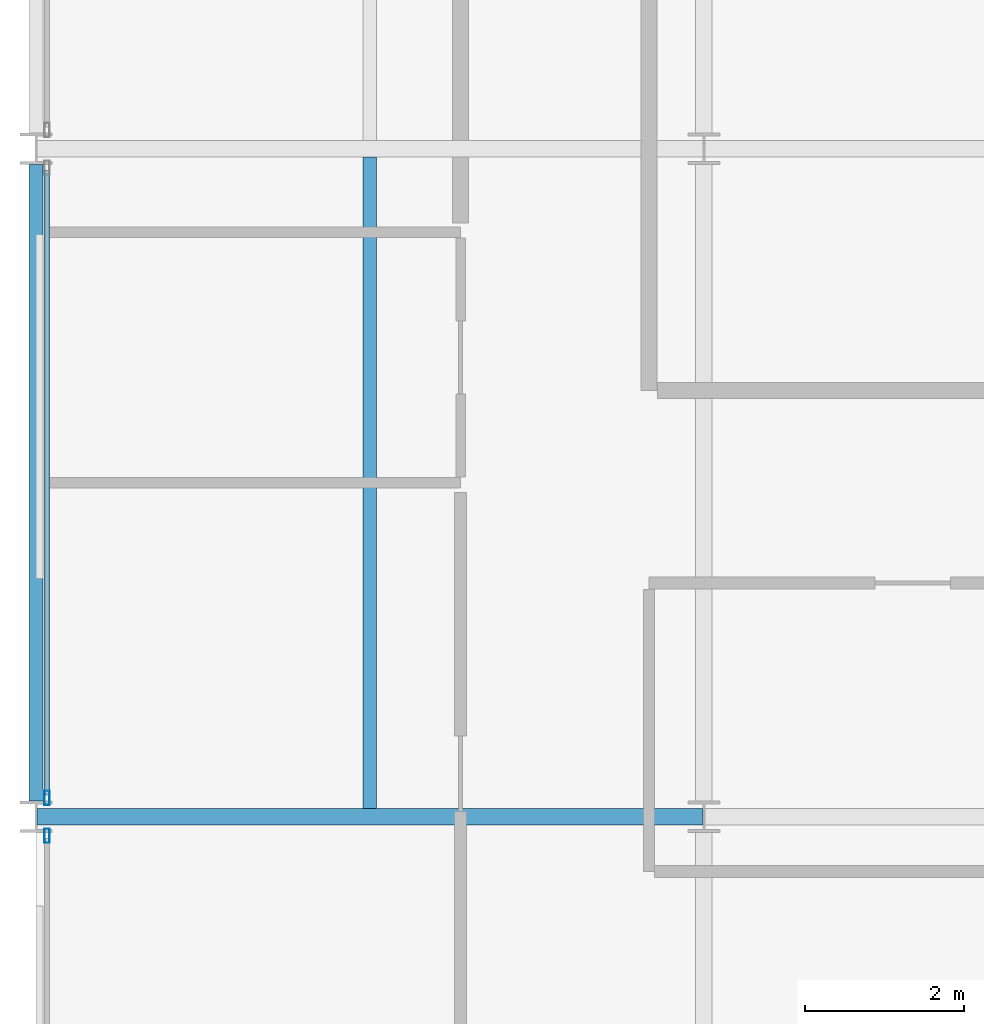
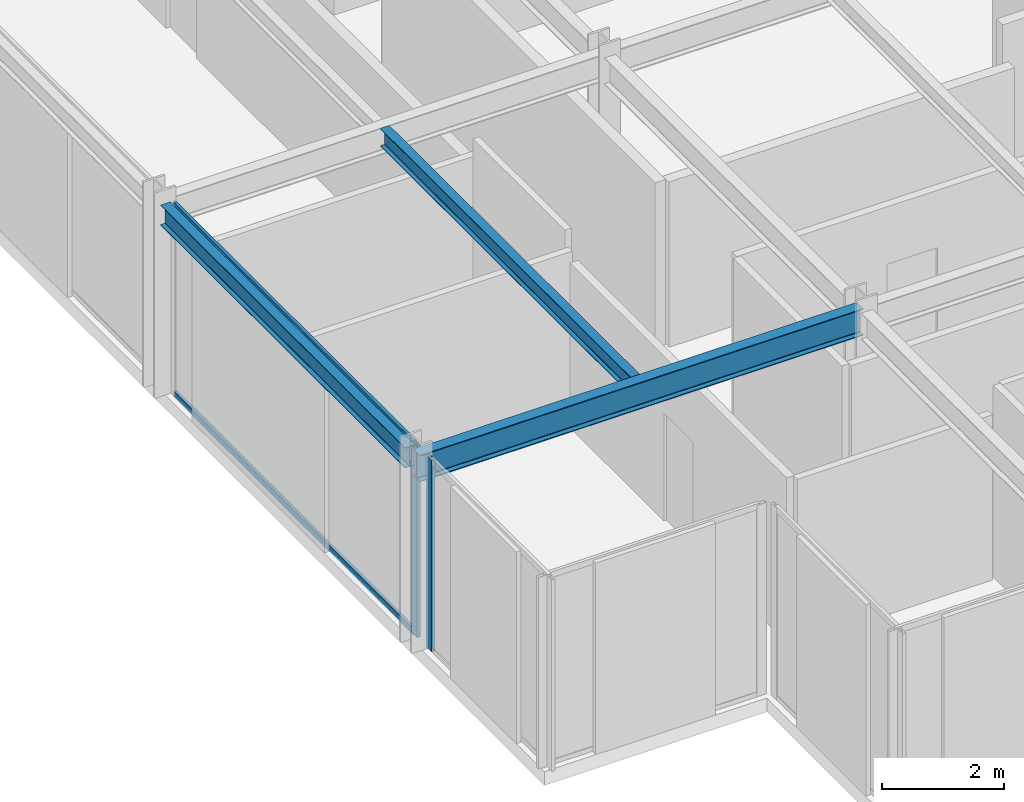
# One storey, part 6 of 38: 4 members, 3 beams, 2 elements without a shape of their own.
"""IFC4 building model written with IfcOpenShell, lengths in metres."""

import ifcopenshell
import ifcopenshell.guid

model = None  # the IFC model being written
_history = None  # IfcOwnerHistory: only IFC2X3 demands one
_inside = {}  # id of a spatial element -> (the spatial element, [elements in it])
_under = {}  # id of a project, library or spatial element -> (it, [spatial elements below it])
_declared = {}  # id of a project -> (the project, [libraries it declares])
_typed = {}  # id of a type object -> (the type object, [elements of that type])
_made_of = {}  # id of a material, layer set ... -> (it, [elements and type objects made of it])


def new_model(schema):
    """Start an empty IFC model of exactly this schema.

    Asked for "IFC4X3", IfcOpenShell would pick the latest addendum, in which some entities
    have other attributes; the version numbers below select the first issue.
    IFC2X3 requires an IfcOwnerHistory on every rooted entity: one is made here for all.
    """
    global model, _history
    if schema == "IFC4X3":
        model = ifcopenshell.file(schema_version=(4, 3, 0, 0))
    else:
        model = ifcopenshell.file(schema=schema)
    _inside.clear()
    _under.clear()
    _declared.clear()
    _typed.clear()
    _made_of.clear()
    _history = None
    if model.schema == "IFC2X3":
        org = make("IfcOrganization", Name="unknown")
        user = make(
            "IfcPersonAndOrganization",
            ThePerson=make("IfcPerson", FamilyName="unknown"),
            TheOrganization=org,
        )
        app = make(
            "IfcApplication",
            ApplicationDeveloper=org,
            Version="unknown",
            ApplicationFullName="unknown",
            ApplicationIdentifier="unknown",
        )
        _history = make(
            "IfcOwnerHistory",
            OwningUser=user,
            OwningApplication=app,
            ChangeAction="ADDED",
            CreationDate=0,
        )
    return model


def make(cls, **values):
    """One entity of the class cls with the attributes given. An attribute that is None is left unset."""
    return model.create_entity(
        cls, **{name: value for name, value in values.items() if value is not None}
    )


def rooted(cls, **values):
    """An entity with a GlobalId (a new one), such as an element, a storey or a relation."""
    return make(cls, GlobalId=ifcopenshell.guid.new(), OwnerHistory=_history, **values)


def si_unit(unit_type, name, prefix=None):
    """IfcSIUnit, for example si_unit("LENGTHUNIT", "METRE", prefix="MILLI")."""
    return make("IfcSIUnit", UnitType=unit_type, Prefix=prefix, Name=name)


def assignment(units):
    """IfcUnitAssignment: the units of a project."""
    return None if units is None else make("IfcUnitAssignment", Units=units)


def point(xyz):
    """IfcCartesianPoint."""
    return None if xyz is None else make("IfcCartesianPoint", Coordinates=xyz)


def direction(xyz):
    """IfcDirection."""
    return None if xyz is None else make("IfcDirection", DirectionRatios=xyz)


def frame(location, z_axis=None, x_axis=None):
    """IfcAxis2Placement3D, a coordinate frame: its origin and axes. An axis left out is left unset."""
    return make(
        "IfcAxis2Placement3D",
        Location=point(location),
        Axis=direction(z_axis),
        RefDirection=direction(x_axis),
    )


def frame_2d(location, x_axis=None):
    """IfcAxis2Placement2D, a coordinate frame in the plane: its origin and x axis."""
    return make(
        "IfcAxis2Placement2D", Location=point(location), RefDirection=direction(x_axis)
    )


def origin():
    """The frame at (0, 0, 0) with its axes left unset."""
    return frame((0.0, 0.0, 0.0))


def origin_2d():
    """The frame at (0, 0) in the plane with its x axis left unset."""
    return frame_2d((0.0, 0.0))


def place(relative_to, where):
    """IfcLocalPlacement: puts the frame where relative to a parent placement (None: the world)."""
    return make(
        "IfcLocalPlacement", PlacementRelTo=relative_to, RelativePlacement=where
    )


def context(
    kind, dimensions, precision=None, world=None, true_north=None, identifier=None
):
    """IfcGeometricRepresentationContext, for example the 3D "Model" context."""
    return make(
        "IfcGeometricRepresentationContext",
        ContextIdentifier=identifier,
        ContextType=kind,
        CoordinateSpaceDimension=dimensions,
        Precision=precision,
        WorldCoordinateSystem=world,
        TrueNorth=true_north,
    )


def subcontext(parent, identifier, kind, view, scale=None):
    """IfcGeometricRepresentationSubContext, for example "Body" below "Model"."""
    return make(
        "IfcGeometricRepresentationSubContext",
        ContextIdentifier=identifier,
        ContextType=kind,
        ParentContext=parent,
        TargetScale=scale,
        TargetView=view,
    )


def project(units=None, contexts=None):
    """IfcProject with its units and contexts."""
    return rooted(
        "IfcProject",
        Name="project",
        RepresentationContexts=contexts,
        UnitsInContext=assignment(units),
    )


def spatial(cls, under=None, at=None, **own):
    """A site, building, storey or space (cls), placed at a placement, below another one or the project."""
    s = rooted(cls, ObjectPlacement=at, **own)
    if under is not None:
        _under.setdefault(under.id(), (under, []))[1].append(s)
    return s


def profile(cls, at=None, kind="AREA", **sizes):
    """A parametric profile (cls). Its sizes go by their IFC names, for example OverallWidth=200.0."""
    return make(cls, ProfileType=kind, Position=at, **sizes)


def hollow_rectangle(**sizes):
    """IfcRectangleHollowProfileDef."""
    return profile("IfcRectangleHollowProfileDef", **sizes)


def i_section(**sizes):
    """IfcIShapeProfileDef."""
    return profile("IfcIShapeProfileDef", **sizes)


def extrude(swept, where, along, depth):
    """IfcExtrudedAreaSolid: the profile swept, set in the frame where, extruded along a direction by depth."""
    return make(
        "IfcExtrudedAreaSolid",
        SweptArea=swept,
        Position=where,
        ExtrudedDirection=direction(along),
        Depth=depth,
    )


def shape(context_of_items, identifier, shape_type, items):
    """IfcShapeRepresentation: the items that make up one representation, for example the "Body"."""
    return make(
        "IfcShapeRepresentation",
        ContextOfItems=context_of_items,
        RepresentationIdentifier=identifier,
        RepresentationType=shape_type,
        Items=items,
    )


def material(Name=None, Category=None):
    """IfcMaterial."""
    return make("IfcMaterial", Name=Name, Category=Category)


def layer(
    of_material, thickness, ventilated=None, Name=None, Category=None, Priority=None
):
    """IfcMaterialLayer: one layer of a wall or slab, of a material (None: an air gap)."""
    return make(
        "IfcMaterialLayer",
        Material=of_material,
        LayerThickness=thickness,
        IsVentilated=ventilated,
        Name=Name,
        Category=Category,
        Priority=Priority,
    )


def layer_set(layers, Name=None):
    """IfcMaterialLayerSet."""
    return make("IfcMaterialLayerSet", MaterialLayers=layers, LayerSetName=Name)


def material_profile(
    of_material, cross_section, Name=None, Category=None, Priority=None
):
    """IfcMaterialProfile: a cross section and its material."""
    return make(
        "IfcMaterialProfile",
        Name=Name,
        Material=of_material,
        Profile=cross_section,
        Priority=Priority,
        Category=Category,
    )


def profile_set(profiles, Name=None, composite=None):
    """IfcMaterialProfileSet."""
    return make(
        "IfcMaterialProfileSet",
        Name=Name,
        MaterialProfiles=profiles,
        CompositeProfile=composite,
    )


def made_of(thing, what):
    """Note that an element or type object is made of a material, layer set ...; save() writes the relation."""
    if what is not None:
        _made_of.setdefault(what.id(), (what, []))[1].append(thing)
    return thing


def type_object(cls, material=None, **own):
    """A type object (cls), such as IfcWallType, which elements share."""
    return made_of(rooted(cls, **own), material)


def element(
    cls,
    number,
    at=None,
    inside=None,
    cuts=None,
    type_object=None,
    material=None,
    context=None,
    identifier="Body",
    shape_type=None,
    held_by="IfcProductDefinitionShape",
    body=None,
    shapes=None,
    **own,
):
    """One element of the class cls, such as IfcWall. Its Tag is "e" and its number.

    at: its placement. inside: the storey or other place that contains it. cuts: it is an
    opening in that element (IfcRelVoidsElement). A single representation is given by context,
    identifier, shape_type and body (its items); several are given by shapes. held_by: the class
    of the entity that holds the representations. save() writes the other relations.
    """
    e = rooted(cls, Tag="e%d" % number, ObjectPlacement=at, **own)
    if body is not None:
        shapes = [shape(context, identifier, shape_type, body)]
    if shapes is not None:
        e.Representation = make(held_by, Representations=shapes)
    if inside is not None:
        _inside.setdefault(inside.id(), (inside, []))[1].append(e)
    if cuts is not None:
        rooted(
            "IfcRelVoidsElement", RelatingBuildingElement=cuts, RelatedOpeningElement=e
        )
    if type_object is not None:
        _typed.setdefault(type_object.id(), (type_object, []))[1].append(e)
    return made_of(e, material)


def aggregate(whole, parts):
    """IfcRelAggregates: a whole, such as a stair, and the parts it consists of."""
    return rooted("IfcRelAggregates", RelatingObject=whole, RelatedObjects=parts)


def save(model, path):
    """Write the relations noted so far, then the file.

    IfcRelAggregates (storeys below a building ...), IfcRelContainedInSpatialStructure (elements
    in a storey), IfcRelDefinesByType, IfcRelAssociatesMaterial and IfcRelDeclares: one each for
    every whole, place, type object, material and project.
    """
    for whole, parts in _under.values():
        aggregate(whole, parts)
    for where, things in _inside.values():
        rooted(
            "IfcRelContainedInSpatialStructure",
            RelatedElements=things,
            RelatingStructure=where,
        )
    for kind, things in _typed.values():
        rooted("IfcRelDefinesByType", RelatedObjects=things, RelatingType=kind)
    for what, things in _made_of.values():
        rooted("IfcRelAssociatesMaterial", RelatedObjects=things, RelatingMaterial=what)
    for by, libraries in _declared.values():
        rooted("IfcRelDeclares", RelatingContext=by, RelatedDefinitions=libraries)
    model.write(path)


model = new_model("IFC4")

# Units and contexts
model_context = context("Model", 3, precision=1e-05, world=origin(), true_north=direction((0.0, 1.0)))
body_context = subcontext(model_context, "Body", "Model", "MODEL_VIEW")
ifc_project = project(units=[si_unit("LENGTHUNIT", "METRE"), si_unit("AREAUNIT", "SQUARE_METRE"), si_unit("VOLUMEUNIT", "CUBIC_METRE"), si_unit("PLANEANGLEUNIT", "RADIAN"), si_unit("MASSUNIT", "GRAM", prefix="KILO")], contexts=[model_context])

# Site, building, storey
site_placement = place(None, origin())
site = spatial("IfcSite", under=ifc_project, at=site_placement, CompositionType="ELEMENT")
building_placement = place(site_placement, origin())
building = spatial("IfcBuilding", under=site, at=building_placement, Name="Nerrivon Quay Data Exchange", CompositionType="ELEMENT")
storey_placement = place(building_placement, frame((0.0, 0.0, 96.699951171875)))
storey = spatial("IfcBuildingStorey", under=building, at=storey_placement, Name="L22", CompositionType="ELEMENT", Elevation=96.699951171875)

# Beams
ifc_material_1 = material(Name="Steel Grade 350", Category="steel")
ifc_material_profile_1 = material_profile(ifc_material_1, i_section(OverallWidth=0.208984375, OverallDepth=0.532958984375, WebThickness=0.01025390625, FlangeThickness=0.015625, FilletRadius=0.013916015625, at=origin_2d()), Name="530UB92.4")
ifc_profile_set_1 = profile_set([ifc_material_profile_1], Name="Steel Grade 350")
beam_type_1 = type_object("IfcBeamType", Name="BM-G3-530UB92", PredefinedType="BEAM", material=ifc_profile_set_1)
beam_1_placement = place(storey_placement, frame((0.012451171875, 8.39990234375, 3.55859375), z_axis=(1.0, 0.0, 0.0), x_axis=(0.0, 1.0, 0.0)))
element("IfcBeam", 1, at=beam_1_placement, inside=storey, type_object=beam_type_1, Name="L22 EW Girder Y=8.4 (0.0..8.4)", PredefinedType="BEAM", context=body_context, shape_type="SweptSolid", body=[
    extrude(i_section(OverallWidth=0.208984375, OverallDepth=0.532958984375, WebThickness=0.01025390625, FlangeThickness=0.015625, FilletRadius=0.013916015625, at=origin_2d()), origin(), (0.0, 0.0, 1.0), 8.375),
])
ifc_material_profile_2 = material_profile(ifc_material_1, i_section(OverallWidth=0.1708984375, OverallDepth=0.35595703125, WebThickness=0.00732421875, FlangeThickness=0.011474609375, FilletRadius=0.011474609375, at=origin_2d()), Name="360UB50.7")
ifc_profile_set_2 = profile_set([ifc_material_profile_2], Name="Steel Grade 350")
beam_type_2 = type_object("IfcBeamType", Name="BM-J4-360UB51", PredefinedType="JOIST", material=ifc_profile_set_2)
beam_2_placement = place(storey_placement, frame((4.199951171875, 8.50439453125, 3.64697265625), z_axis=(0.0, 1.0, 0.0), x_axis=(-1.0, 0.0, 0.0)))
element("IfcBeam", 2, at=beam_2_placement, inside=storey, type_object=beam_type_2, Name="L22 Secondary Joist X=4.2 (8.4..16.8)", PredefinedType="JOIST", context=body_context, shape_type="SweptSolid", body=[
    extrude(i_section(OverallWidth=0.1708984375, OverallDepth=0.35595703125, WebThickness=0.00732421875, FlangeThickness=0.011474609375, FilletRadius=0.011474609375, at=origin_2d()), origin(), (0.0, 0.0, 1.0), 8.191162109375),
])
ifc_material_profile_3 = material_profile(ifc_material_1, i_section(OverallWidth=0.177978515625, OverallDepth=0.403076171875, WebThickness=0.007568359375, FlangeThickness=0.010986328125, FilletRadius=0.011474609375, at=origin_2d()), Name="410UB53.7")
ifc_profile_set_3 = profile_set([ifc_material_profile_3], Name="Steel Grade 350")
beam_type_3 = type_object("IfcBeamType", Name="BM-SP2-410UB54", PredefinedType="SPANDREL", material=ifc_profile_set_3)
beam_3_placement = place(storey_placement, frame((0.0, 8.60009765625, 3.62353515625), z_axis=(0.0, 1.0, 0.0), x_axis=(-1.0, 0.0, 0.0)))
element("IfcBeam", 3, at=beam_3_placement, inside=storey, type_object=beam_type_3, Name="L22 NS Girder X=0.0 (8.4..16.8)", PredefinedType="SPANDREL", context=body_context, shape_type="SweptSolid", body=[
    extrude(i_section(OverallWidth=0.177978515625, OverallDepth=0.403076171875, WebThickness=0.007568359375, FlangeThickness=0.010986328125, FilletRadius=0.011474609375, at=origin_2d()), origin(), (0.0, 0.0, 1.0), 8.0),
])

# Curtain wall, member
ifc_material_2 = material(Name="Anodised aluminium 6063-T6", Category="aluminium")
ifc_layer = layer(ifc_material_2, 0.2099609375)
ifc_layer_set = layer_set([ifc_layer], Name="Anodised aluminium 6063-T6")
curtain_wall_type = type_object("IfcCurtainWallType", Name="CW-SYS-02", PredefinedType="NOTDEFINED", material=ifc_layer_set)
curtain_wall_1_placement = place(storey_placement, origin())
curtain_wall_1 = element("IfcCurtainWall", 4, at=curtain_wall_1_placement, inside=storey, type_object=curtain_wall_type, Name="L22 Unitised Curtain Wall 17", PredefinedType="NOTDEFINED")
ifc_material_profile_4 = material_profile(ifc_material_2, hollow_rectangle(XDim=0.06494140625, YDim=0.179931640625, WallThickness=0.00341796875, at=origin_2d()), Name="ALU-MULL-180x65")
ifc_profile_set_4 = profile_set([ifc_material_profile_4], Name="Anodised aluminium 6063-T6")
member_type_1 = type_object("IfcMemberType", Name="CWM-180x65", PredefinedType="MULLION", material=ifc_profile_set_4)
member_1_placement = place(storey_placement, frame((0.139892578125, 8.16259765625, 0.0), z_axis=(0.0, 0.0, 1.0), x_axis=(-1.0, 0.0, 0.0)))
member_1 = element("IfcMember", 5, at=member_1_placement, type_object=member_type_1, Name="CW02 mullion 2", PredefinedType="MULLION", context=body_context, shape_type="SweptSolid", body=[
    extrude(hollow_rectangle(XDim=0.06494140625, YDim=0.179931640625, WallThickness=0.00341796875, at=origin_2d()), origin(), (0.0, 0.0, 1.0), 3.824951171875),
])
aggregate(curtain_wall_1, [member_1])

# Curtain wall, members
curtain_wall_2_placement = place(storey_placement, origin())
curtain_wall_2 = element("IfcCurtainWall", 6, at=curtain_wall_2_placement, inside=storey, type_object=curtain_wall_type, Name="L22 Unitised Curtain Wall 18", PredefinedType="NOTDEFINED")
member_2_placement = place(storey_placement, frame((0.139892578125, 8.637451171875, 0.0), z_axis=(0.0, 0.0, 1.0), x_axis=(-1.0, 0.0, 0.0)))
member_2 = element("IfcMember", 7, at=member_2_placement, type_object=member_type_1, Name="CW02 mullion 1", PredefinedType="MULLION", context=body_context, shape_type="SweptSolid", body=[
    extrude(hollow_rectangle(XDim=0.06494140625, YDim=0.179931640625, WallThickness=0.00341796875, at=origin_2d()), origin(), (0.0, 0.0, 1.0), 3.824951171875),
])
ifc_material_profile_5 = material_profile(ifc_material_2, hollow_rectangle(XDim=0.06005859375, YDim=0.1201171875, WallThickness=0.003173828125, at=origin_2d()), Name="ALU-TRAN-120x60")
ifc_profile_set_5 = profile_set([ifc_material_profile_5], Name="Anodised aluminium 6063-T6")
member_type_2 = type_object("IfcMemberType", Name="CWT-120x60", PredefinedType="USERDEFINED", material=ifc_profile_set_5)
member_3_placement = place(storey_placement, frame((0.139892578125, 8.675048828125, 0.032470703125), z_axis=(0.0, 1.0, 0.0), x_axis=(-1.0, 0.0, 0.0)))
member_3 = element("IfcMember", 8, at=member_3_placement, type_object=member_type_2, Name="CW02 transom 1.1", ObjectType="TRANSOM", PredefinedType="USERDEFINED", context=body_context, shape_type="SweptSolid", body=[
    extrude(hollow_rectangle(XDim=0.06005859375, YDim=0.1201171875, WallThickness=0.003173828125, at=origin_2d()), origin(), (0.0, 0.0, 1.0), 7.849853515625),
])
member_4_placement = place(storey_placement, frame((0.139892578125, 8.675048828125, 3.79248046875), z_axis=(0.0, 1.0, 0.0), x_axis=(-1.0, 0.0, 0.0)))
member_4 = element("IfcMember", 9, at=member_4_placement, type_object=member_type_2, Name="CW02 transom 1.2", ObjectType="TRANSOM", PredefinedType="USERDEFINED", context=body_context, shape_type="SweptSolid", body=[
    extrude(hollow_rectangle(XDim=0.06005859375, YDim=0.1201171875, WallThickness=0.003173828125, at=origin_2d()), origin(), (0.0, 0.0, 1.0), 7.849853515625),
])
aggregate(curtain_wall_2, [member_2, member_3, member_4])

save(model, "model.ifc")
